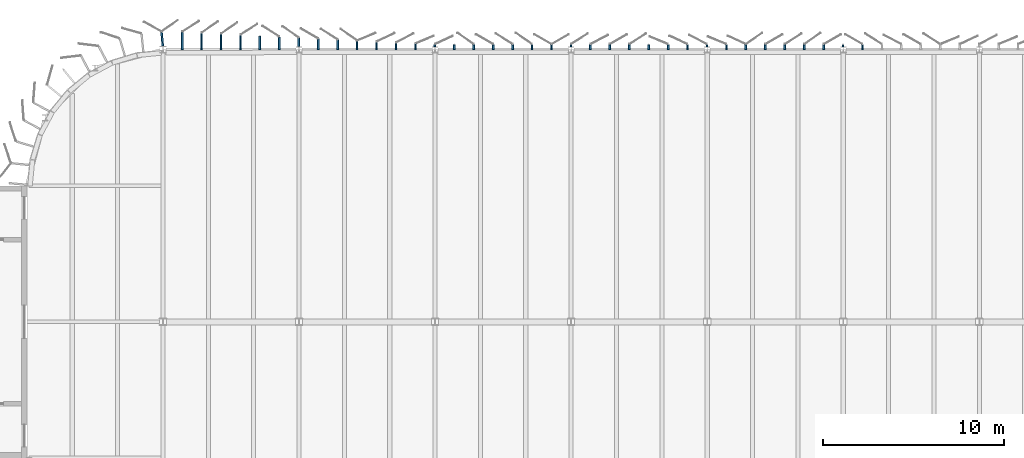
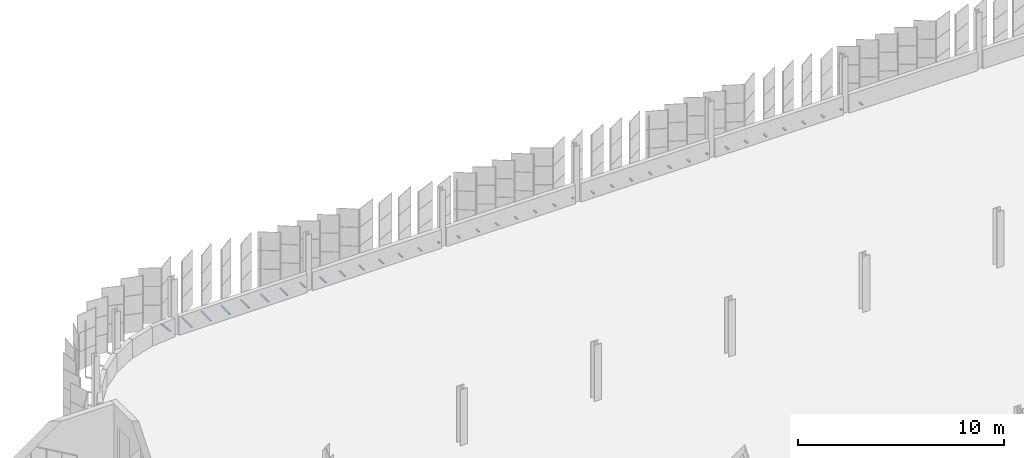
# One storey, part 189 of 214: 37 discrete accessories.
"""IFC4 building model written with IfcOpenShell, lengths in metres."""

from ifc_helpers import new_model, si_unit, direction, frame, origin, origin_2d, place, context, subcontext, project, spatial, rectangle, extrude, material, type_object, element, save


model = new_model("IFC4")

# Units and contexts
model_context = context("Model", 3, precision=1e-05, world=origin(), true_north=direction((0.0, 1.0)))
body_context = subcontext(model_context, "Body", "Model", "MODEL_VIEW")
ifc_project = project(units=[si_unit("LENGTHUNIT", "METRE"), si_unit("AREAUNIT", "SQUARE_METRE"), si_unit("VOLUMEUNIT", "CUBIC_METRE"), si_unit("PLANEANGLEUNIT", "RADIAN"), si_unit("MASSUNIT", "GRAM", prefix="KILO")], contexts=[model_context])

# Site, building, storey
site_placement = place(None, origin())
site = spatial("IfcSite", under=ifc_project, at=site_placement, CompositionType="ELEMENT")
building_placement = place(site_placement, origin())
building = spatial("IfcBuilding", under=site, at=building_placement, Name="Parallax Yard Mobility Hub", CompositionType="ELEMENT")
storey_placement = place(building_placement, frame((0.0, 0.0, 3.300048828125)))
storey = spatial("IfcBuildingStorey", under=building, at=storey_placement, Name="L01", CompositionType="ELEMENT", Elevation=3.300048828125)

# Discrete accessories
ifc_material = material(Name="Steel ASTM A36, hot-dip galvanised", Category="steel")
discrete_accessory_type = type_object("IfcDiscreteAccessoryType", Name="Hinge bracket plate 100x50", PredefinedType="BRACKET", material=ifc_material)
discrete_accessory_1_placement = place(storey_placement, frame((68.56103515625, 142.6416015625, -0.02490234375), z_axis=(0.0, 0.0, 1.0), x_axis=(0.0, 1.0, 0.0)))
element("IfcDiscreteAccessory", 1, at=discrete_accessory_1_placement, inside=storey, type_object=discrete_accessory_type, Name="Hinge bracket plate bay 64.7 level L01", PredefinedType="BRACKET", context=body_context, shape_type="SweptSolid", body=[
    extrude(rectangle(XDim=0.2841796875, YDim=0.10009765625, at=origin_2d()), origin(), (0.0, 0.0, 1.0), 0.050048828125),
])
discrete_accessory_2_placement = place(storey_placement, frame((67.489501953125, 142.719482421875, -0.02490234375), z_axis=(0.0, 0.0, 1.0), x_axis=(0.0, 1.0, 0.0)))
element("IfcDiscreteAccessory", 2, at=discrete_accessory_2_placement, inside=storey, type_object=discrete_accessory_type, Name="Hinge bracket plate bay 65.1 level L01", PredefinedType="BRACKET", context=body_context, shape_type="SweptSolid", body=[
    extrude(rectangle(XDim=0.128173828125, YDim=0.10009765625, at=origin_2d()), origin(), (0.0, 0.0, 1.0), 0.050048828125),
])
for number, where, z_axis, x_axis, name in (
    (3, (66.41796875, 142.6416015625, -0.02490234375), (0.0, 0.0, 1.0), (0.0, 1.0, 0.0), "Hinge bracket plate bay 65.2 level L01"),
    (4, (65.34619140625, 142.6416015625, -0.02490234375), (0.0, 0.0, 1.0), (0.0, 1.0, 0.0), "Hinge bracket plate bay 65.3 level L01"),
    (5, (64.27490234375, 142.6416015625, -0.02490234375), (0.0, 0.0, 1.0), (0.0, 1.0, 0.0), "Hinge bracket plate bay 65.4 level L01"),
    (6, (63.203125, 142.6416015625, -0.02490234375), (0.0, 0.0, 1.0), (0.0, 1.0, 0.0), "Hinge bracket plate bay 65.5 level L01"),
    (7, (62.131591796875, 142.6416015625, -0.02490234375), (0.0, 0.0, 1.0), (0.0, 1.0, 0.0), "Hinge bracket plate bay 65.6 level L01"),
    (8, (61.06005859375, 142.6416015625, -0.02490234375), (0.0, 0.0, 1.0), (0.0, 1.0, 0.0), "Hinge bracket plate bay 65.7 level L01"),
):
    element("IfcDiscreteAccessory", number, at=place(storey_placement, frame(where, z_axis=z_axis, x_axis=x_axis)), inside=storey, type_object=discrete_accessory_type, Name=name, PredefinedType="BRACKET", context=body_context, shape_type="SweptSolid", body=[
        extrude(rectangle(XDim=0.2841796875, YDim=0.10009765625, at=origin_2d()), origin(), (0.0, 0.0, 1.0), 0.050048828125),
    ])
discrete_accessory_3_placement = place(storey_placement, frame((59.988525390625, 142.719482421875, -0.02490234375), z_axis=(0.0, 0.0, 1.0), x_axis=(0.0, 1.0, 0.0)))
element("IfcDiscreteAccessory", 9, at=discrete_accessory_3_placement, inside=storey, type_object=discrete_accessory_type, Name="Hinge bracket plate bay 66.1 level L01", PredefinedType="BRACKET", context=body_context, shape_type="SweptSolid", body=[
    extrude(rectangle(XDim=0.128173828125, YDim=0.10009765625, at=origin_2d()), origin(), (0.0, 0.0, 1.0), 0.050048828125),
])
for number, where, z_axis, x_axis, name in (
    (10, (58.9169921875, 142.6416015625, -0.02490234375), (0.0, 0.0, 1.0), (0.0, 1.0, 0.0), "Hinge bracket plate bay 66.2 level L01"),
    (11, (57.845458984375, 142.6416015625, -0.02490234375), (0.0, 0.0, 1.0), (0.0, 1.0, 0.0), "Hinge bracket plate bay 66.3 level L01"),
    (12, (56.77392578125, 142.6416015625, -0.02490234375), (0.0, 0.0, 1.0), (0.0, 1.0, 0.0), "Hinge bracket plate bay 66.4 level L01"),
    (13, (55.702392578125, 142.6416015625, -0.02490234375), (0.0, 0.0, 1.0), (0.0, 1.0, 0.0), "Hinge bracket plate bay 66.5 level L01"),
    (14, (54.630859375, 142.6416015625, -0.02490234375), (0.0, 0.0, 1.0), (0.0, 1.0, 0.0), "Hinge bracket plate bay 66.6 level L01"),
    (15, (53.55908203125, 142.6416015625, -0.02490234375), (0.0, 0.0, 1.0), (0.0, 1.0, 0.0), "Hinge bracket plate bay 66.7 level L01"),
):
    element("IfcDiscreteAccessory", number, at=place(storey_placement, frame(where, z_axis=z_axis, x_axis=x_axis)), inside=storey, type_object=discrete_accessory_type, Name=name, PredefinedType="BRACKET", context=body_context, shape_type="SweptSolid", body=[
        extrude(rectangle(XDim=0.2841796875, YDim=0.10009765625, at=origin_2d()), origin(), (0.0, 0.0, 1.0), 0.050048828125),
    ])
discrete_accessory_4_placement = place(storey_placement, frame((52.48779296875, 142.719482421875, -0.02490234375), z_axis=(0.0, 0.0, 1.0), x_axis=(0.0, 1.0, 0.0)))
element("IfcDiscreteAccessory", 16, at=discrete_accessory_4_placement, inside=storey, type_object=discrete_accessory_type, Name="Hinge bracket plate bay 67.1 level L01", PredefinedType="BRACKET", context=body_context, shape_type="SweptSolid", body=[
    extrude(rectangle(XDim=0.128173828125, YDim=0.10009765625, at=origin_2d()), origin(), (0.0, 0.0, 1.0), 0.050048828125),
])
for number, where, z_axis, x_axis, name in (
    (17, (51.416015625, 142.6416015625, -0.02490234375), (0.0, 0.0, 1.0), (0.0, 1.0, 0.0), "Hinge bracket plate bay 67.2 level L01"),
    (18, (50.344482421875, 142.6416015625, -0.02490234375), (0.0, 0.0, 1.0), (0.0, 1.0, 0.0), "Hinge bracket plate bay 67.3 level L01"),
    (19, (49.27294921875, 142.6416015625, -0.02490234375), (0.0, 0.0, 1.0), (0.0, 1.0, 0.0), "Hinge bracket plate bay 67.4 level L01"),
    (20, (48.201416015625, 142.6416015625, -0.02490234375), (0.0, 0.0, 1.0), (0.0, 1.0, 0.0), "Hinge bracket plate bay 67.5 level L01"),
    (21, (47.1298828125, 142.6416015625, -0.02490234375), (0.0, 0.0, 1.0), (0.0, 1.0, 0.0), "Hinge bracket plate bay 67.6 level L01"),
    (22, (46.058349609375, 142.6416015625, -0.02490234375), (0.0, 0.0, 1.0), (0.0, 1.0, 0.0), "Hinge bracket plate bay 67.7 level L01"),
):
    element("IfcDiscreteAccessory", number, at=place(storey_placement, frame(where, z_axis=z_axis, x_axis=x_axis)), inside=storey, type_object=discrete_accessory_type, Name=name, PredefinedType="BRACKET", context=body_context, shape_type="SweptSolid", body=[
        extrude(rectangle(XDim=0.2841796875, YDim=0.10009765625, at=origin_2d()), origin(), (0.0, 0.0, 1.0), 0.050048828125),
    ])
discrete_accessory_5_placement = place(storey_placement, frame((44.98681640625, 142.719482421875, -0.02490234375), z_axis=(0.0, 0.0, 1.0), x_axis=(0.0, 1.0, 0.0)))
element("IfcDiscreteAccessory", 23, at=discrete_accessory_5_placement, inside=storey, type_object=discrete_accessory_type, Name="Hinge bracket plate bay 68.1 level L01", PredefinedType="BRACKET", context=body_context, shape_type="SweptSolid", body=[
    extrude(rectangle(XDim=0.128173828125, YDim=0.10009765625, at=origin_2d()), origin(), (0.0, 0.0, 1.0), 0.050048828125),
])
discrete_accessory_6_placement = place(storey_placement, frame((43.915283203125, 142.662109375, -0.02490234375), z_axis=(0.0, 0.0, 1.0), x_axis=(0.0, 1.0, 0.0)))
element("IfcDiscreteAccessory", 24, at=discrete_accessory_6_placement, inside=storey, type_object=discrete_accessory_type, Name="Hinge bracket plate bay 68.2 level L01", PredefinedType="BRACKET", context=body_context, shape_type="SweptSolid", body=[
    extrude(rectangle(XDim=0.3251953125, YDim=0.10009765625, at=origin_2d()), origin(), (0.0, 0.0, 1.0), 0.050048828125),
])
discrete_accessory_7_placement = place(storey_placement, frame((42.84375, 142.68896484375, -0.02490234375), z_axis=(0.0, 0.0, 1.0), x_axis=(0.0, 1.0, 0.0)))
element("IfcDiscreteAccessory", 25, at=discrete_accessory_7_placement, inside=storey, type_object=discrete_accessory_type, Name="Hinge bracket plate bay 68.3 level L01", PredefinedType="BRACKET", context=body_context, shape_type="SweptSolid", body=[
    extrude(rectangle(XDim=0.37890625, YDim=0.10009765625, at=origin_2d()), origin(), (0.0, 0.0, 1.0), 0.050048828125),
])
discrete_accessory_8_placement = place(storey_placement, frame((41.772216796875, 142.7158203125, -0.02490234375), z_axis=(0.0, 0.0, 1.0), x_axis=(0.0, 1.0, 0.0)))
element("IfcDiscreteAccessory", 26, at=discrete_accessory_8_placement, inside=storey, type_object=discrete_accessory_type, Name="Hinge bracket plate bay 68.4 level L01", PredefinedType="BRACKET", context=body_context, shape_type="SweptSolid", body=[
    extrude(rectangle(XDim=0.432373046875, YDim=0.10009765625, at=origin_2d()), origin(), (0.0, 0.0, 1.0), 0.050048828125),
])
discrete_accessory_9_placement = place(storey_placement, frame((40.700439453125, 142.742431640625, -0.02490234375), z_axis=(0.0, 0.0, 1.0), x_axis=(0.0, 1.0, 0.0)))
element("IfcDiscreteAccessory", 27, at=discrete_accessory_9_placement, inside=storey, type_object=discrete_accessory_type, Name="Hinge bracket plate bay 68.5 level L01", PredefinedType="BRACKET", context=body_context, shape_type="SweptSolid", body=[
    extrude(rectangle(XDim=0.48583984375, YDim=0.10009765625, at=origin_2d()), origin(), (0.0, 0.0, 1.0), 0.050048828125),
])
discrete_accessory_10_placement = place(storey_placement, frame((39.62890625, 142.769287109375, -0.02490234375), z_axis=(0.0, 0.0, 1.0), x_axis=(0.0, 1.0, 0.0)))
element("IfcDiscreteAccessory", 28, at=discrete_accessory_10_placement, inside=storey, type_object=discrete_accessory_type, Name="Hinge bracket plate bay 68.6 level L01", PredefinedType="BRACKET", context=body_context, shape_type="SweptSolid", body=[
    extrude(rectangle(XDim=0.53955078125, YDim=0.10009765625, at=origin_2d()), origin(), (0.0, 0.0, 1.0), 0.050048828125),
])
discrete_accessory_11_placement = place(storey_placement, frame((38.557373046875, 142.7958984375, -0.02490234375), z_axis=(0.0, 0.0, 1.0), x_axis=(0.0, 1.0, 0.0)))
element("IfcDiscreteAccessory", 29, at=discrete_accessory_11_placement, inside=storey, type_object=discrete_accessory_type, Name="Hinge bracket plate bay 68.7 level L01", PredefinedType="BRACKET", context=body_context, shape_type="SweptSolid", body=[
    extrude(rectangle(XDim=0.593017578125, YDim=0.10009765625, at=origin_2d()), origin(), (0.0, 0.0, 1.0), 0.050048828125),
])
discrete_accessory_12_placement = place(storey_placement, frame((37.48583984375, 142.90087890625, -0.02490234375), z_axis=(0.0, 0.0, 1.0), x_axis=(0.0, 1.0, 0.0)))
element("IfcDiscreteAccessory", 30, at=discrete_accessory_12_placement, inside=storey, type_object=discrete_accessory_type, Name="Hinge bracket plate bay 69.1 level L01", PredefinedType="BRACKET", context=body_context, shape_type="SweptSolid", body=[
    extrude(rectangle(XDim=0.49072265625, YDim=0.10009765625, at=origin_2d()), origin(), (0.0, 0.0, 1.0), 0.050048828125),
])
discrete_accessory_13_placement = place(storey_placement, frame((36.414306640625, 142.849609375, -0.02490234375), z_axis=(0.0, 0.0, 1.0), x_axis=(0.0, 1.0, 0.0)))
element("IfcDiscreteAccessory", 31, at=discrete_accessory_13_placement, inside=storey, type_object=discrete_accessory_type, Name="Hinge bracket plate bay 69.2 level L01", PredefinedType="BRACKET", context=body_context, shape_type="SweptSolid", body=[
    extrude(rectangle(XDim=0.7001953125, YDim=0.10009765625, at=origin_2d()), origin(), (0.0, 0.0, 1.0), 0.050048828125),
])
discrete_accessory_14_placement = place(storey_placement, frame((35.3427734375, 142.87646484375, -0.02490234375), z_axis=(0.0, 0.0, 1.0), x_axis=(0.0, 1.0, 0.0)))
element("IfcDiscreteAccessory", 32, at=discrete_accessory_14_placement, inside=storey, type_object=discrete_accessory_type, Name="Hinge bracket plate bay 69.3 level L01", PredefinedType="BRACKET", context=body_context, shape_type="SweptSolid", body=[
    extrude(rectangle(XDim=0.75390625, YDim=0.10009765625, at=origin_2d()), origin(), (0.0, 0.0, 1.0), 0.050048828125),
])
discrete_accessory_15_placement = place(storey_placement, frame((34.271240234375, 142.9033203125, -0.02490234375), z_axis=(0.0, 0.0, 1.0), x_axis=(0.0, 1.0, 0.0)))
element("IfcDiscreteAccessory", 33, at=discrete_accessory_15_placement, inside=storey, type_object=discrete_accessory_type, Name="Hinge bracket plate bay 69.4 level L01", PredefinedType="BRACKET", context=body_context, shape_type="SweptSolid", body=[
    extrude(rectangle(XDim=0.807373046875, YDim=0.10009765625, at=origin_2d()), origin(), (0.0, 0.0, 1.0), 0.050048828125),
])
discrete_accessory_16_placement = place(storey_placement, frame((33.19970703125, 142.929931640625, -0.02490234375), z_axis=(0.0, 0.0, 1.0), x_axis=(0.0, 1.0, 0.0)))
element("IfcDiscreteAccessory", 34, at=discrete_accessory_16_placement, inside=storey, type_object=discrete_accessory_type, Name="Hinge bracket plate bay 69.5 level L01", PredefinedType="BRACKET", context=body_context, shape_type="SweptSolid", body=[
    extrude(rectangle(XDim=0.86083984375, YDim=0.10009765625, at=origin_2d()), origin(), (0.0, 0.0, 1.0), 0.050048828125),
])
discrete_accessory_17_placement = place(storey_placement, frame((32.128173828125, 142.956787109375, -0.02490234375), z_axis=(0.0, 0.0, 1.0), x_axis=(0.0, 1.0, 0.0)))
element("IfcDiscreteAccessory", 35, at=discrete_accessory_17_placement, inside=storey, type_object=discrete_accessory_type, Name="Hinge bracket plate bay 69.6 level L01", PredefinedType="BRACKET", context=body_context, shape_type="SweptSolid", body=[
    extrude(rectangle(XDim=0.91455078125, YDim=0.10009765625, at=origin_2d()), origin(), (0.0, 0.0, 1.0), 0.050048828125),
])
discrete_accessory_18_placement = place(storey_placement, frame((31.056396484375, 142.9833984375, -0.02490234375), z_axis=(0.0, 0.0, 1.0), x_axis=(0.0, 1.0, 0.0)))
element("IfcDiscreteAccessory", 36, at=discrete_accessory_18_placement, inside=storey, type_object=discrete_accessory_type, Name="Hinge bracket plate bay 69.7 level L01", PredefinedType="BRACKET", context=body_context, shape_type="SweptSolid", body=[
    extrude(rectangle(XDim=0.968017578125, YDim=0.10009765625, at=origin_2d()), origin(), (0.0, 0.0, 1.0), 0.050048828125),
])
discrete_accessory_19_placement = place(storey_placement, frame((29.95654296875, 143.087646484375, -0.02490234375), z_axis=(0.0, 0.0, 1.0), x_axis=(-0.09801714033, 0.995184726672, 0.0)))
element("IfcDiscreteAccessory", 37, at=discrete_accessory_19_placement, inside=storey, type_object=discrete_accessory_type, Name="Hinge bracket plate bay 70.1 level L01", PredefinedType="BRACKET", context=body_context, shape_type="SweptSolid", body=[
    extrude(rectangle(XDim=0.7890625, YDim=0.10009765625, at=origin_2d()), origin(), (0.0, 0.0, 1.0), 0.050048828125),
])

save(model, "model.ifc")
